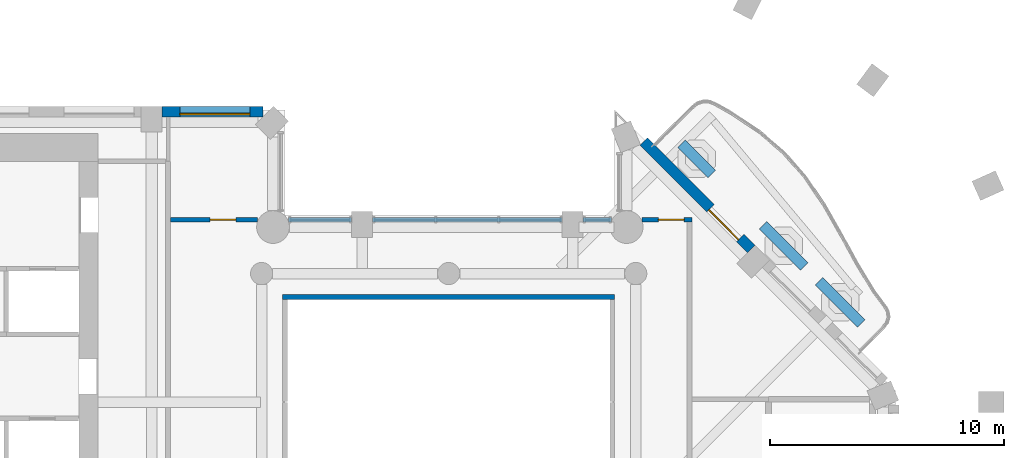
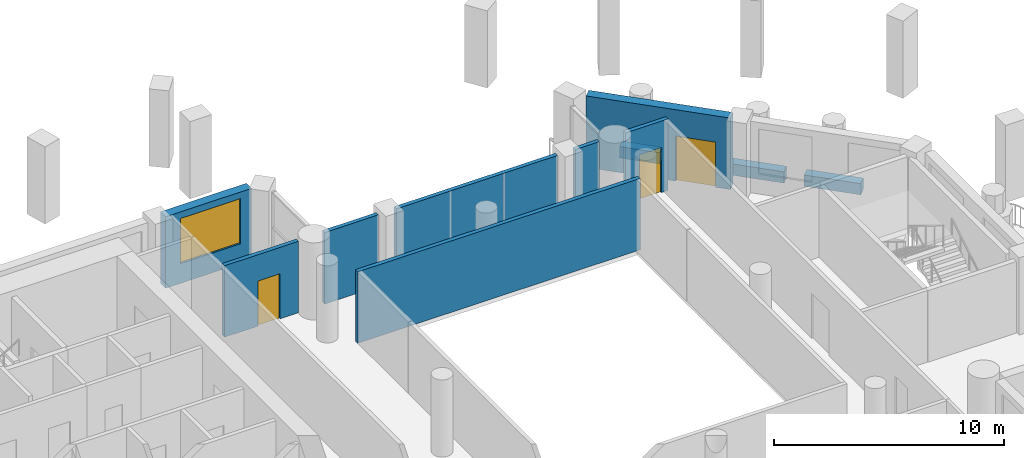
# One storey, part 7 of 15: 11 walls, 3 doors, 1 window, 4 openings.
"""IFC4 building model written with IfcOpenShell, lengths in metres."""

from ifc_helpers import new_model, si_unit, direction, frame, frame_2d, origin, place, context, subcontext, project, spatial, rectangle, extrude, material, layer, layer_set, type_object, element, fill, save


model = new_model("IFC4")

# Units and contexts
model_context = context("Model", 3, precision=1e-05, world=origin(), true_north=direction((0.0, 1.0)))
body_context = subcontext(model_context, "Body", "Model", "MODEL_VIEW")
ifc_project = project(units=[si_unit("LENGTHUNIT", "METRE"), si_unit("AREAUNIT", "SQUARE_METRE"), si_unit("VOLUMEUNIT", "CUBIC_METRE"), si_unit("PLANEANGLEUNIT", "RADIAN"), si_unit("MASSUNIT", "GRAM", prefix="KILO")], contexts=[model_context])

# Site, building, storey
site_placement = place(None, origin())
site = spatial("IfcSite", under=ifc_project, at=site_placement, CompositionType="ELEMENT")
building_placement = place(site_placement, origin())
building = spatial("IfcBuilding", under=site, at=building_placement, Name="Cypress Arch Tower", CompositionType="ELEMENT")
storey_placement = place(building_placement, frame((0.0, 0.0, 234.300048828125)))
storey = spatial("IfcBuildingStorey", under=building, at=storey_placement, Name="L52", CompositionType="ELEMENT", Elevation=234.300048828125)

# Walls
ifc_material_1 = material(Name="Concrete C40/50, waterproofed", Category="concrete")
ifc_layer_1 = layer(ifc_material_1, 0.449951171875)
ifc_layer_set_1 = layer_set([ifc_layer_1], Name="Balcony planter wall PW450")
wall_type_1 = type_object("IfcWallType", Name="Balcony planter wall PW450", PredefinedType="SOLIDWALL", material=ifc_layer_set_1)
wall_1_placement = place(storey_placement, frame((18.650390625, 7.86376953125, 0.0), z_axis=(0.0, 0.0, 1.0), x_axis=(-0.707059037574, 0.707154521576, 0.0)))
element("IfcWall", 1, at=wall_1_placement, inside=storey, type_object=wall_type_1, Name="Balcony planter wall L52-B05.1", PredefinedType="SOLIDWALL", context=body_context, shape_type="SweptSolid", body=[
    extrude(rectangle(XDim=2.556884765625, YDim=0.449951171875, at=frame_2d((1.2783203125, 0.0))), origin(), (0.0, 0.0, 1.0), 0.599853515625),
])
wall_2_placement = place(storey_placement, frame((16.2060546875, 10.30810546875, 0.0), z_axis=(0.0, 0.0, 1.0), x_axis=(-0.707057827829, 0.707155731156, 0.0)))
element("IfcWall", 2, at=wall_2_placement, inside=storey, type_object=wall_type_1, Name="Balcony planter wall L52-B05.2", PredefinedType="SOLIDWALL", context=body_context, shape_type="SweptSolid", body=[
    extrude(rectangle(XDim=2.49365234375, YDim=0.449951171875, at=frame_2d((1.246826171875, 0.0))), origin(), (0.0, 0.0, 1.0), 0.599853515625),
])
wall_3_placement = place(storey_placement, frame((12.250732421875, 14.263427734375, 0.0), z_axis=(0.0, 0.0, 1.0), x_axis=(-0.707039709166, 0.707173846846, 0.0)))
element("IfcWall", 3, at=wall_3_placement, inside=storey, type_object=wall_type_1, Name="Balcony planter wall L52-B05.3", PredefinedType="SOLIDWALL", context=body_context, shape_type="SweptSolid", body=[
    extrude(rectangle(XDim=1.820068359375, YDim=0.449951171875, at=frame_2d((0.91015625, 0.0))), origin(), (0.0, 0.0, 1.0), 0.599853515625),
])

# Wall, opening, door
ifc_material_2 = material(Name="Brick (red buff blend)", Category="masonry")
ifc_layer_2 = layer(ifc_material_2, 0.449951171875)
ifc_layer_set_2 = layer_set([ifc_layer_2], Name="Brick pier and spandrel wall BW450")
wall_type_2 = type_object("IfcWallType", Name="Brick pier and spandrel wall BW450", PredefinedType="SOLIDWALL", material=ifc_layer_set_2)
wall_4_placement = place(storey_placement, frame((13.94091796875, 11.052978515625, 0.0), z_axis=(0.0, 0.0, 1.0), x_axis=(-0.707106781187, 0.707106781187, 0.0)))
wall_4 = element("IfcWall", 4, at=wall_4_placement, inside=storey, type_object=wall_type_2, Name="Brick wall L52 B05.1", PredefinedType="SOLIDWALL", context=body_context, shape_type="SweptSolid", body=[
    extrude(rectangle(XDim=6.505126953125, YDim=0.449951171875, at=frame_2d((3.25244140625, 0.0))), origin(), (0.0, 0.0, 1.0), 3.800048828125),
])
opening_1_placement = place(wall_4_placement, frame((0.665283203125, 0.0, 0.0)))
opening_1 = element("IfcOpeningElement", 5, at=opening_1_placement, cuts=wall_4, Name="Opening D-L52-B05.1.1", PredefinedType="OPENING", context=body_context, shape_type="SweptSolid", body=[
    extrude(rectangle(XDim=1.800048828125, YDim=2.39990234375, at=frame_2d((0.89990234375, 1.199951171875))), frame((0.0, 0.23486328125, 0.0), z_axis=(0.0, -1.0, 0.0), x_axis=(1.0, 0.0, 0.0)), (0.0, 0.0, 1.0), 0.469970703125),
])
ifc_material_3 = material(Name="Anodised aluminium, bronze finish, laminated low-emissivity double glazing, large-missile impact rated", Category="aluminium")
door_type_1 = type_object("IfcDoorType", Name="Balcony sliding door 1800x2400", OperationType="SLIDING_TO_LEFT", PredefinedType="DOOR", material=ifc_material_3)
door_1_placement = place(opening_1_placement, origin())
door_1 = element("IfcDoor", 6, at=door_1_placement, inside=storey, type_object=door_type_1, Name="Balcony door L52 B05.1.1", OperationType="SLIDING_TO_LEFT", OverallHeight=2.39990234375, OverallWidth=1.800048828125, PredefinedType="DOOR", context=body_context, shape_type="SweptSolid", body=[
    extrude(rectangle(XDim=1.800048828125, YDim=2.39990234375, at=frame_2d((0.89990234375, 1.199951171875))), frame((0.0, 0.1298828125, 0.0), z_axis=(0.0, -1.0, 0.0), x_axis=(1.0, 0.0, 0.0)), (0.0, 0.0, 1.0), 0.050048828125),
])
fill(opening_1, door_1)

# Wall, opening, window
wall_5_placement = place(storey_placement, frame((-6.936279296875, 16.925048828125, 0.0), z_axis=(0.0, 0.0, 1.0), x_axis=(-1.0, 0.0, 0.0)))
wall_5 = element("IfcWall", 7, at=wall_5_placement, inside=storey, type_object=wall_type_2, Name="Brick wall L52 B09.0", PredefinedType="SOLIDWALL", context=body_context, shape_type="SweptSolid", body=[
    extrude(rectangle(XDim=4.313720703125, YDim=0.449951171875, at=frame_2d((2.15673828125, 0.0))), origin(), (0.0, 0.0, 1.0), 3.800048828125),
])
opening_2_placement = place(wall_5_placement, frame((0.563720703125, 0.0, 1.050048828125)))
opening_2 = element("IfcOpeningElement", 8, at=opening_2_placement, cuts=wall_5, Name="Opening W300O", PredefinedType="OPENING", context=body_context, shape_type="SweptSolid", body=[
    extrude(rectangle(XDim=3.0, YDim=2.39990234375, at=frame_2d((1.5, 1.199951171875))), frame((0.0, 0.23486328125, 0.0), z_axis=(0.0, -1.0, 0.0), x_axis=(1.0, 0.0, 0.0)), (0.0, 0.0, 1.0), 0.469970703125),
])
ifc_material_4 = material(Name="Anodised aluminium, bronze finish, clear low-emissivity double glazing", Category="aluminium")
window_type = type_object("IfcWindowType", Name="Window Office 3000x2400", PartitioningType="SINGLE_PANEL", PredefinedType="WINDOW", material=ifc_material_4)
window_placement = place(opening_2_placement, origin())
window = element("IfcWindow", 9, at=window_placement, inside=storey, type_object=window_type, Name="Window L52 B09.0.1", OverallHeight=2.39990234375, OverallWidth=3.0, PartitioningType="SINGLE_PANEL", PredefinedType="WINDOW", context=body_context, shape_type="SweptSolid", body=[
    extrude(rectangle(XDim=3.0, YDim=2.39990234375, at=frame_2d((1.5, 1.199951171875))), frame((0.0, 0.135009765625, 0.0), z_axis=(0.0, -1.0, 0.0), x_axis=(1.0, 0.0, 0.0)), (0.0, 0.0, 1.0), 0.06005859375),
])
fill(opening_2, window)

# Wall, opening, door
ifc_material_5 = material(Name="Concrete blockwork, plastered, rated", Category="masonry")
ifc_layer_3 = layer(ifc_material_5, 0.199951171875)
ifc_layer_set_3 = layer_set([ifc_layer_3], Name="Corridor wall FW200")
wall_type_3 = type_object("IfcWallType", Name="Corridor wall FW200", PredefinedType="PARTITIONING", material=ifc_layer_set_3)
wall_6_placement = place(storey_placement, frame((-10.89990234375, 12.300048828125, 0.0), z_axis=(0.0, 0.0, 1.0), x_axis=(1.0, 0.0, 0.0)))
wall_6 = element("IfcWall", 10, at=wall_6_placement, inside=storey, type_object=wall_type_3, Name="Corridor wall", PredefinedType="PARTITIONING", context=body_context, shape_type="SweptSolid", body=[
    extrude(rectangle(XDim=3.734619140625, YDim=0.199951171875, at=frame_2d((1.8671875, 0.0))), origin(), (0.0, 0.0, 1.0), 3.800048828125),
])
opening_3_placement = place(wall_6_placement, frame((1.699951171875, 0.0, 0.0)))
opening_3 = element("IfcOpeningElement", 11, at=opening_3_placement, cuts=wall_6, Name="Opening D01", PredefinedType="OPENING", context=body_context, shape_type="SweptSolid", body=[
    extrude(rectangle(XDim=1.10009765625, YDim=2.39990234375, at=frame_2d((0.550048828125, 1.199951171875))), frame((0.0, 0.10986328125, 0.0), z_axis=(0.0, -1.0, 0.0), x_axis=(1.0, 0.0, 0.0)), (0.0, 0.0, 1.0), 0.219970703125),
])
ifc_material_6 = material(Name="Timber flush door, fire resisting, self-closing", Category="wood")
door_type_2 = type_object("IfcDoorType", Name="Unit entrance door D01 1100x2400", OperationType="SINGLE_SWING_LEFT", PredefinedType="DOOR", material=ifc_material_6)
door_2_placement = place(opening_3_placement, origin())
door_2 = element("IfcDoor", 12, at=door_2_placement, inside=storey, type_object=door_type_2, Name="Unit entrance door", OperationType="SINGLE_SWING_RIGHT", OverallHeight=2.39990234375, OverallWidth=1.10009765625, PredefinedType="DOOR", context=body_context, shape_type="SweptSolid", body=[
    extrude(rectangle(XDim=1.10009765625, YDim=2.39990234375, at=frame_2d((0.550048828125, 1.199951171875))), frame((0.0, 0.02490234375, 0.0), z_axis=(0.0, -1.0, 0.0), x_axis=(1.0, 0.0, 0.0)), (0.0, 0.0, 1.0), 0.050048828125),
])
fill(opening_3, door_2)

# Walls
wall_7_placement = place(storey_placement, frame((-5.859130859375, 12.300048828125, 0.0), z_axis=(0.0, 0.0, 1.0), x_axis=(1.0, 0.0, 0.0)))
element("IfcWall", 13, at=wall_7_placement, inside=storey, type_object=wall_type_3, Name="Corridor wall", PredefinedType="PARTITIONING", context=body_context, shape_type="SweptSolid", body=[
    extrude(rectangle(XDim=2.709228515625, YDim=0.199951171875, at=frame_2d((1.3544921875, 0.0))), origin(), (0.0, 0.0, 1.0), 3.800048828125),
])
wall_8_placement = place(storey_placement, frame((-2.25, 12.300048828125, 0.0), z_axis=(0.0, 0.0, 1.0), x_axis=(1.0, 0.0, 0.0)))
element("IfcWall", 14, at=wall_8_placement, inside=storey, type_object=wall_type_3, Name="Corridor wall", PredefinedType="PARTITIONING", context=body_context, shape_type="SweptSolid", body=[
    extrude(rectangle(XDim=8.10009765625, YDim=0.199951171875, at=frame_2d((4.050048828125, 0.0))), origin(), (0.0, 0.0, 1.0), 3.800048828125),
])
wall_9_placement = place(storey_placement, frame((6.75, 12.300048828125, 0.0), z_axis=(0.0, 0.0, 1.0), x_axis=(1.0, 0.0, 0.0)))
element("IfcWall", 15, at=wall_9_placement, inside=storey, type_object=wall_type_3, Name="Corridor wall", PredefinedType="PARTITIONING", context=body_context, shape_type="SweptSolid", body=[
    extrude(rectangle(XDim=1.208984375, YDim=0.199951171875, at=frame_2d((0.6044921875, 0.0))), origin(), (0.0, 0.0, 1.0), 3.800048828125),
])
wall_10_placement = place(storey_placement, frame((-6.10009765625, 9.0, 0.0), z_axis=(0.0, 0.0, 1.0), x_axis=(1.0, 0.0, 0.0)))
element("IfcWall", 16, at=wall_10_placement, inside=storey, type_object=wall_type_3, Name="Corridor wall", PredefinedType="PARTITIONING", context=body_context, shape_type="SweptSolid", body=[
    extrude(rectangle(XDim=14.2001953125, YDim=0.199951171875, at=frame_2d((7.10009765625, 0.0))), origin(), (0.0, 0.0, 1.0), 3.800048828125),
])

# Wall, opening, door
wall_11_placement = place(storey_placement, frame((9.26513671875, 12.300048828125, 0.0), z_axis=(0.0, 0.0, 1.0), x_axis=(1.0, 0.0, 0.0)))
wall_11 = element("IfcWall", 17, at=wall_11_placement, inside=storey, type_object=wall_type_3, Name="Corridor wall", PredefinedType="PARTITIONING", context=body_context, shape_type="SweptSolid", body=[
    extrude(rectangle(XDim=2.134765625, YDim=0.199951171875, at=frame_2d((1.0673828125, 0.0))), origin(), (0.0, 0.0, 1.0), 3.800048828125),
])
opening_4_placement = place(wall_11_placement, frame((0.699951171875, 0.0, 0.0)))
opening_4 = element("IfcOpeningElement", 18, at=opening_4_placement, cuts=wall_11, Name="Opening D01", PredefinedType="OPENING", context=body_context, shape_type="SweptSolid", body=[
    extrude(rectangle(XDim=1.10009765625, YDim=2.39990234375, at=frame_2d((0.550048828125, 1.199951171875))), frame((0.0, 0.10986328125, 0.0), z_axis=(0.0, -1.0, 0.0), x_axis=(1.0, 0.0, 0.0)), (0.0, 0.0, 1.0), 0.219970703125),
])
door_3_placement = place(opening_4_placement, origin())
door_3 = element("IfcDoor", 19, at=door_3_placement, inside=storey, type_object=door_type_2, Name="Unit entrance door", OperationType="SINGLE_SWING_LEFT", OverallHeight=2.39990234375, OverallWidth=1.10009765625, PredefinedType="DOOR", context=body_context, shape_type="SweptSolid", body=[
    extrude(rectangle(XDim=1.10009765625, YDim=2.39990234375, at=frame_2d((0.550048828125, 1.199951171875))), frame((0.0, 0.02490234375, 0.0), z_axis=(0.0, -1.0, 0.0), x_axis=(1.0, 0.0, 0.0)), (0.0, 0.0, 1.0), 0.050048828125),
])
fill(opening_4, door_3)

save(model, "model.ifc")
